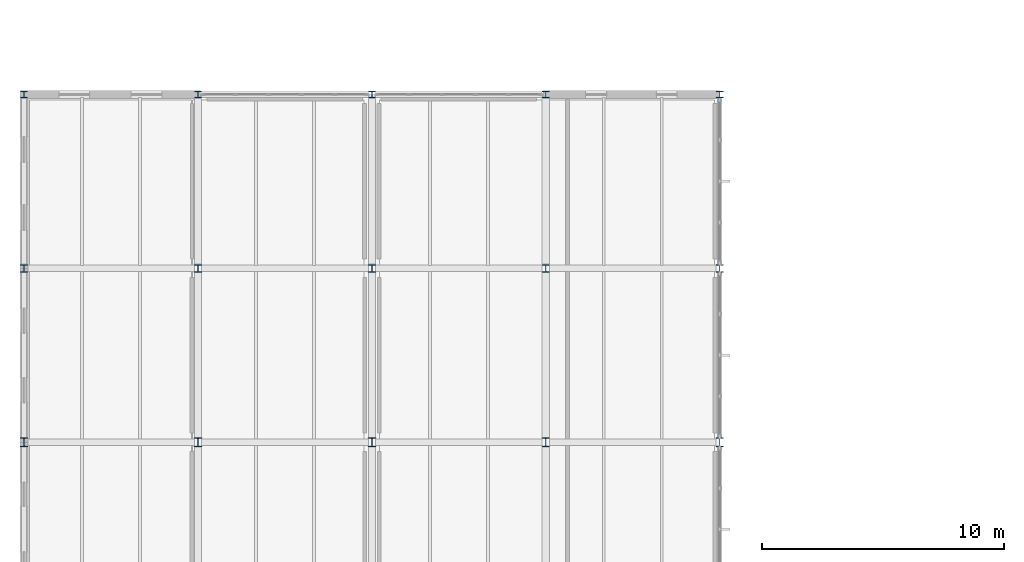
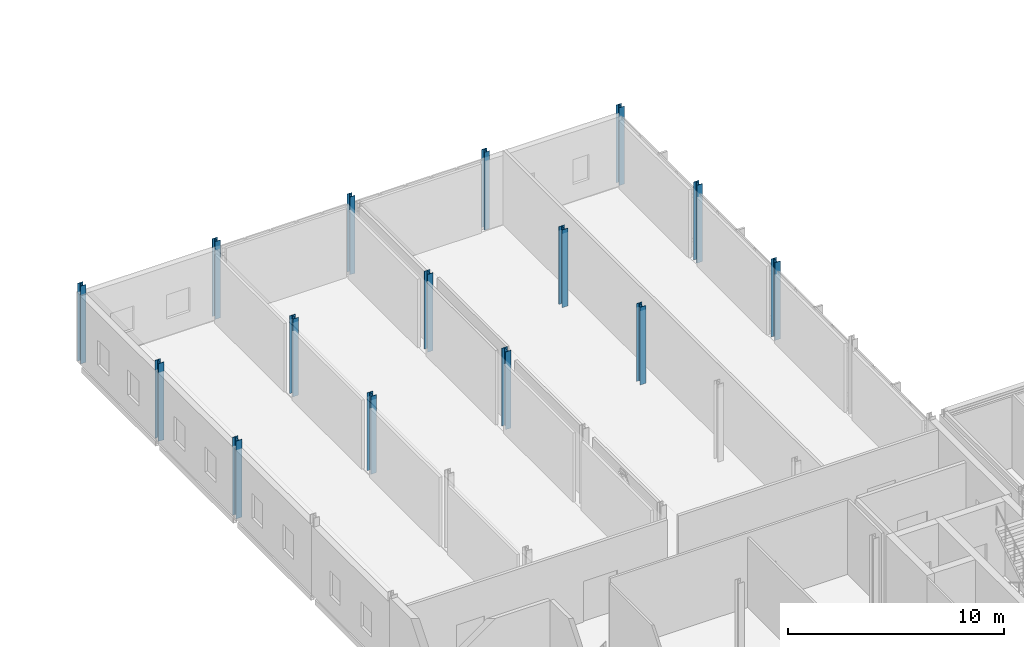
# One storey, part 4 of 43: 15 columns.
"""IFC4 building model written with IfcOpenShell, lengths in metres."""

from ifc_helpers import new_model, si_unit, direction, frame, origin, origin_2d, place, context, subcontext, project, spatial, i_section, extrude, material, material_profile, profile_set, type_object, element, save


model = new_model("IFC4")

# Units and contexts
model_context = context("Model", 3, precision=1e-05, world=origin(), true_north=direction((0.0, 1.0)))
body_context = subcontext(model_context, "Body", "Model", "MODEL_VIEW")
ifc_project = project(units=[si_unit("LENGTHUNIT", "METRE"), si_unit("AREAUNIT", "SQUARE_METRE"), si_unit("VOLUMEUNIT", "CUBIC_METRE"), si_unit("PLANEANGLEUNIT", "RADIAN"), si_unit("MASSUNIT", "GRAM", prefix="KILO")], contexts=[model_context])

# Site, building, storey
site_placement = place(None, origin())
site = spatial("IfcSite", under=ifc_project, at=site_placement, CompositionType="ELEMENT")
building_placement = place(site_placement, origin())
building = spatial("IfcBuilding", under=site, at=building_placement, Name="Zarrinpeak Specialist Clinic", CompositionType="ELEMENT")
storey_placement = place(building_placement, frame((0.0, 0.0, 18.39990234375)))
storey = spatial("IfcBuildingStorey", under=building, at=storey_placement, Name="L04", CompositionType="ELEMENT", Elevation=18.39990234375)

# Columns
ifc_material = material(Name="Steel S355", Category="steel")
ifc_material_profile_1 = material_profile(ifc_material, i_section(OverallWidth=0.280029296875, OverallDepth=0.280029296875, WebThickness=0.010498046875, FlangeThickness=0.01806640625, FilletRadius=0.02392578125, at=origin_2d()), Name="HEB 280")
ifc_profile_set_1 = profile_set([ifc_material_profile_1], Name="Steel S355")
column_type_1 = type_object("IfcColumnType", Name="COL-HEB280", PredefinedType="COLUMN", material=ifc_profile_set_1)
for number, where, z_axis, x_axis, name in (
    (1, (0.0, 50.39990234375, 0.0), (0.0, 0.0, 1.0), (1.0, 0.0, 0.0), "L04 Structural Column COL-L04-006"),
    (2, (7.199951171875, 50.39990234375, 0.0), (0.0, 0.0, 1.0), (1.0, 0.0, 0.0), "L04 Structural Column COL-L04-014"),
    (3, (14.39990234375, 50.39990234375, 0.0), (0.0, 0.0, 1.0), (1.0, 0.0, 0.0), "L04 Structural Column COL-L04-022"),
    (4, (21.60009765625, 50.39990234375, 0.0), (0.0, 0.0, 1.0), (1.0, 0.0, 0.0), "L04 Structural Column COL-L04-030"),
    (5, (28.800048828125, 50.39990234375, 0.0), (0.0, 0.0, 1.0), (1.0, 0.0, 0.0), "L04 Structural Column COL-L04-036"),
):
    element("IfcColumn", number, at=place(storey_placement, frame(where, z_axis=z_axis, x_axis=x_axis)), inside=storey, type_object=column_type_1, Name=name, PredefinedType="COLUMN", context=body_context, shape_type="SweptSolid", body=[
        extrude(i_section(OverallWidth=0.280029296875, OverallDepth=0.280029296875, WebThickness=0.010498046875, FlangeThickness=0.01806640625, FilletRadius=0.02392578125, at=origin_2d()), origin(), (0.0, 0.0, 1.0), 4.400146484375),
    ])
ifc_material_profile_2 = material_profile(ifc_material, i_section(OverallWidth=0.300048828125, OverallDepth=0.320068359375, WebThickness=0.011474609375, FlangeThickness=0.0205078125, FilletRadius=0.027099609375, at=origin_2d()), Name="HEB 320")
ifc_profile_set_2 = profile_set([ifc_material_profile_2], Name="Steel S355")
column_type_2 = type_object("IfcColumnType", Name="COL-HEB320", PredefinedType="COLUMN", material=ifc_profile_set_2)
for number, where, z_axis, x_axis, name in (
    (6, (0.0, 43.199951171875, 0.0), (0.0, 0.0, 1.0), (1.0, 0.0, 0.0), "L04 Structural Column COL-L04-005"),
    (7, (7.199951171875, 43.199951171875, 0.0), (0.0, 0.0, 1.0), (1.0, 0.0, 0.0), "L04 Structural Column COL-L04-013"),
    (8, (14.39990234375, 43.199951171875, 0.0), (0.0, 0.0, 1.0), (1.0, 0.0, 0.0), "L04 Structural Column COL-L04-021"),
    (9, (21.60009765625, 43.199951171875, 0.0), (0.0, 0.0, 1.0), (1.0, 0.0, 0.0), "L04 Structural Column COL-L04-029"),
    (10, (28.800048828125, 43.199951171875, 0.0), (0.0, 0.0, 1.0), (1.0, 0.0, 0.0), "L04 Structural Column COL-L04-035"),
):
    element("IfcColumn", number, at=place(storey_placement, frame(where, z_axis=z_axis, x_axis=x_axis)), inside=storey, type_object=column_type_2, Name=name, PredefinedType="COLUMN", context=body_context, shape_type="SweptSolid", body=[
        extrude(i_section(OverallWidth=0.300048828125, OverallDepth=0.320068359375, WebThickness=0.011474609375, FlangeThickness=0.0205078125, FilletRadius=0.027099609375, at=origin_2d()), origin(), (0.0, 0.0, 1.0), 4.400146484375),
    ])
ifc_material_profile_3 = material_profile(ifc_material, i_section(OverallWidth=0.300048828125, OverallDepth=0.360107421875, WebThickness=0.012451171875, FlangeThickness=0.0224609375, FilletRadius=0.027099609375, at=origin_2d()), Name="HEB 360")
ifc_profile_set_3 = profile_set([ifc_material_profile_3], Name="Steel S355")
column_type_3 = type_object("IfcColumnType", Name="COL-HEB360", PredefinedType="COLUMN", material=ifc_profile_set_3)
for number, where, z_axis, x_axis, name in (
    (11, (0.0, 36.0, 0.0), (0.0, 0.0, 1.0), (1.0, 0.0, 0.0), "L04 Structural Column COL-L04-004"),
    (12, (7.199951171875, 36.0, 0.0), (0.0, 0.0, 1.0), (1.0, 0.0, 0.0), "L04 Structural Column COL-L04-012"),
    (13, (14.39990234375, 36.0, 0.0), (0.0, 0.0, 1.0), (1.0, 0.0, 0.0), "L04 Structural Column COL-L04-020"),
    (14, (21.60009765625, 36.0, 0.0), (0.0, 0.0, 1.0), (1.0, 0.0, 0.0), "L04 Structural Column COL-L04-028"),
    (15, (28.800048828125, 36.0, 0.0), (0.0, 0.0, 1.0), (1.0, 0.0, 0.0), "L04 Structural Column COL-L04-034"),
):
    element("IfcColumn", number, at=place(storey_placement, frame(where, z_axis=z_axis, x_axis=x_axis)), inside=storey, type_object=column_type_3, Name=name, PredefinedType="COLUMN", context=body_context, shape_type="SweptSolid", body=[
        extrude(i_section(OverallWidth=0.300048828125, OverallDepth=0.360107421875, WebThickness=0.012451171875, FlangeThickness=0.0224609375, FilletRadius=0.027099609375, at=origin_2d()), origin(), (0.0, 0.0, 1.0), 4.400146484375),
    ])

save(model, "model.ifc")
